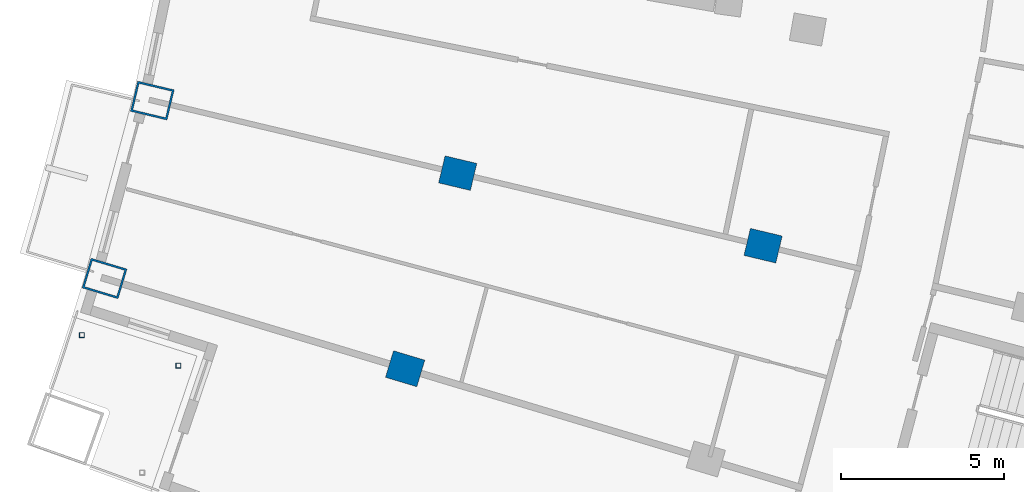
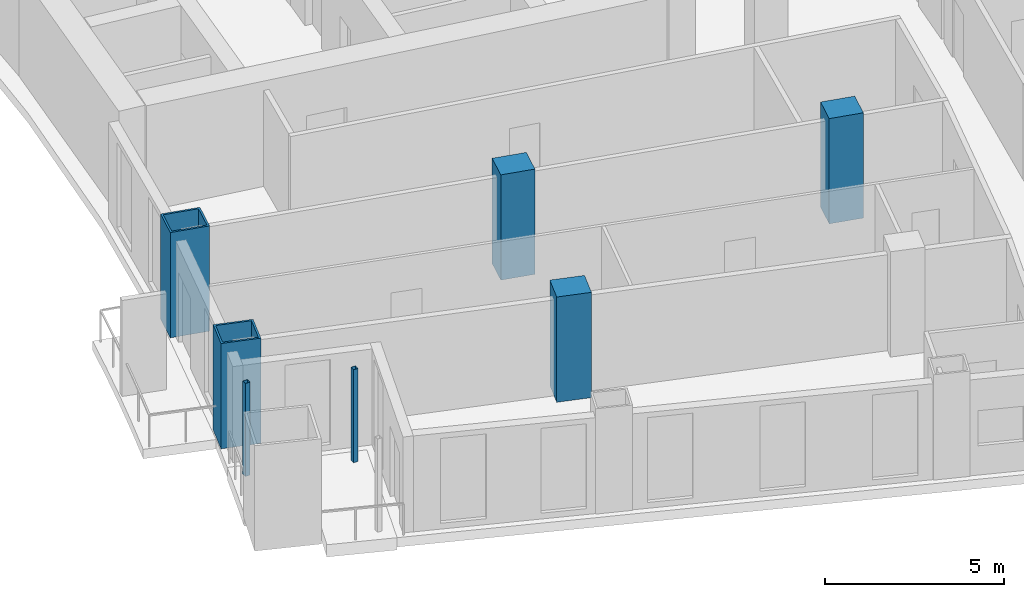
# One storey, part 3 of 25: 7 columns.
"""IFC4 building model written with IfcOpenShell, lengths in metres."""

from ifc_helpers import new_model, si_unit, direction, frame, origin, origin_2d, place, context, subcontext, project, spatial, rectangle, hollow_rectangle, extrude, material, material_profile, profile_set, type_object, element, save


model = new_model("IFC4")

# Units and contexts
model_context = context("Model", 3, precision=1e-05, world=origin(), true_north=direction((0.0, 1.0)))
body_context = subcontext(model_context, "Body", "Model", "MODEL_VIEW")
ifc_project = project(units=[si_unit("LENGTHUNIT", "METRE"), si_unit("AREAUNIT", "SQUARE_METRE"), si_unit("VOLUMEUNIT", "CUBIC_METRE"), si_unit("PLANEANGLEUNIT", "RADIAN"), si_unit("MASSUNIT", "GRAM", prefix="KILO")], contexts=[model_context])

# Site, building, storey
site_placement = place(None, origin())
site = spatial("IfcSite", under=ifc_project, at=site_placement, CompositionType="ELEMENT")
building_placement = place(site_placement, origin())
building = spatial("IfcBuilding", under=site, at=building_placement, Name="Alderwake Tower", CompositionType="ELEMENT")
storey_placement = place(building_placement, frame((0.0, 0.0, 107.60009765625)))
storey = spatial("IfcBuildingStorey", under=building, at=storey_placement, Name="L26", CompositionType="ELEMENT", Elevation=107.60009765625)

# Columns
ifc_material_1 = material(Name="Concrete C70/85", Category="concrete")
ifc_material_profile_1 = material_profile(ifc_material_1, rectangle(XDim=0.85009765625, YDim=1.0, at=origin_2d()), Name="RC 1000X850")
ifc_profile_set_1 = profile_set([ifc_material_profile_1], Name="Concrete C70/85")
column_type_1 = type_object("IfcColumnType", Name="Interior column Z2", PredefinedType="COLUMN", material=ifc_profile_set_1)
for number, where, z_axis, x_axis, name in (
    (1, (21.714599609375, 30.46240234375, 0.0), (0.0, 0.0, 1.0), (0.287549418125, 0.957765802342, 0.0), "Column R02-C1"),
    (2, (23.322021484375, 36.444091796875, 0.0), (0.0, 0.0, 1.0), (0.231221547198, 0.972901123502, 0.0), "Column R03-C1"),
    (3, (32.661865234375, 34.224609375, 0.0), (0.0, 0.0, 1.0), (0.231221547198, 0.972901123502, 0.0), "Column R03-C2"),
):
    element("IfcColumn", number, at=place(storey_placement, frame(where, z_axis=z_axis, x_axis=x_axis)), inside=storey, type_object=column_type_1, Name=name, PredefinedType="COLUMN", context=body_context, shape_type="SweptSolid", body=[
        extrude(rectangle(XDim=0.85009765625, YDim=1.0, at=origin_2d()), origin(), (0.0, 0.0, 1.0), 3.599853515625),
    ])
ifc_material_2 = material(Name="Steel ASTM A500 Grade C", Category="steel")
ifc_material_profile_2 = material_profile(ifc_material_2, hollow_rectangle(XDim=0.15234375, YDim=0.15234375, WallThickness=0.0087890625, at=origin_2d()), Name="HSS6X6X3/8")
ifc_profile_set_2 = profile_set([ifc_material_profile_2], Name="Steel ASTM A500 Grade C")
column_type_2 = type_object("IfcColumnType", Name="Light post HSS6X6X3/8", PredefinedType="COLUMN", material=ifc_profile_set_2)
for number, where, z_axis, x_axis, name in (
    (4, (11.82568359375, 31.492919921875, 0.0), (0.0, 0.0, 1.0), (1.0, 0.0, 0.0), "Terrace post RS1"),
    (5, (14.781494140625, 30.558349609375, 0.0), (0.0, 0.0, 1.0), (1.0, 0.0, 0.0), "Terrace post RS3"),
):
    element("IfcColumn", number, at=place(storey_placement, frame(where, z_axis=z_axis, x_axis=x_axis)), inside=storey, type_object=column_type_2, Name=name, PredefinedType="COLUMN", context=body_context, shape_type="SweptSolid", body=[
        extrude(hollow_rectangle(XDim=0.15234375, YDim=0.15234375, WallThickness=0.0087890625, at=origin_2d()), origin(), (0.0, 0.0, 1.0), 3.179931640625),
    ])
ifc_material_3 = material(Name="Steel ASTM A572 Grade 50 concrete filled C70/85", Category="concrete")
ifc_material_profile_3 = material_profile(ifc_material_3, hollow_rectangle(XDim=0.949951171875, YDim=1.14990234375, WallThickness=0.06005859375, at=origin_2d()), Name="BOX 1150X950X60")
ifc_profile_set_3 = profile_set([ifc_material_profile_3], Name="Steel ASTM A572 Grade 50 concrete filled C70/85")
column_type_3 = type_object("IfcColumnType", Name="Perimeter column Z2", PredefinedType="COLUMN", material=ifc_profile_set_3)
for number, where, z_axis, x_axis, name in (
    (6, (12.520263671875, 33.222900390625, 0.0), (0.0, 0.0, 1.0), (0.287549418125, 0.957765802342, 0.0), "Column R02-C0"),
    (7, (13.982177734375, 38.6640625, 0.0), (0.0, 0.0, 1.0), (0.231221547198, 0.972901123502, 0.0), "Column R03-C0"),
):
    element("IfcColumn", number, at=place(storey_placement, frame(where, z_axis=z_axis, x_axis=x_axis)), inside=storey, type_object=column_type_3, Name=name, PredefinedType="COLUMN", context=body_context, shape_type="SweptSolid", body=[
        extrude(hollow_rectangle(XDim=0.949951171875, YDim=1.14990234375, WallThickness=0.06005859375, at=origin_2d()), origin(), (0.0, 0.0, 1.0), 3.599853515625),
    ])

save(model, "model.ifc")
